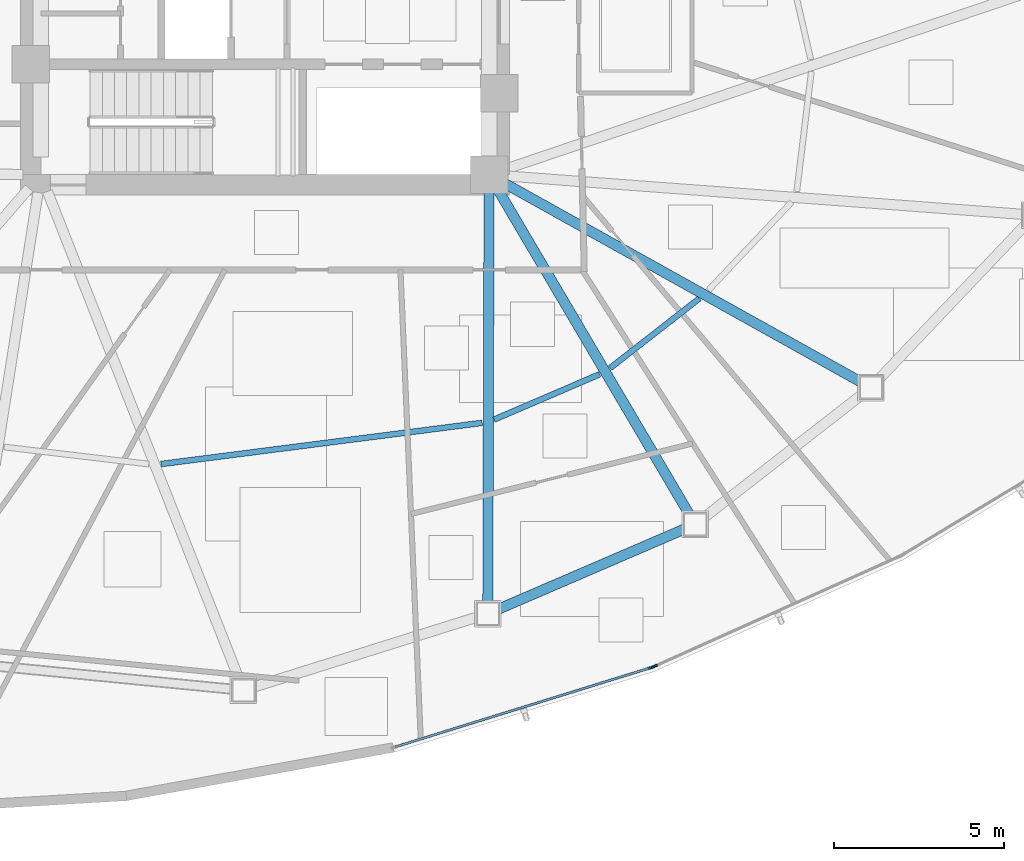
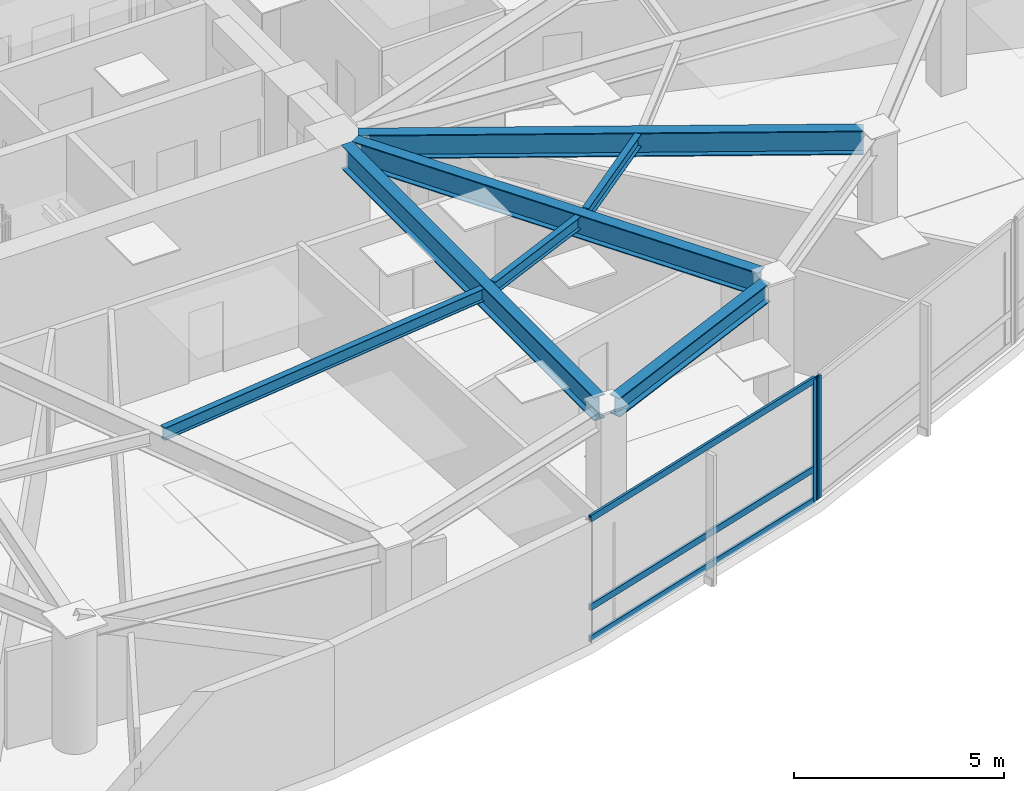
# One storey, part 3 of 17: 7 beams, 5 members, 2 elements without a shape of their own.
"""IFC4 building model written with IfcOpenShell, lengths in metres."""

from ifc_helpers import new_model, si_unit, direction, frame, origin, origin_2d, place, context, subcontext, project, spatial, hollow_rectangle, i_section, extrude, source, transform, mapped, material, layer, layer_set, material_profile, profile_set, type_object, type_shapes, element, aggregate, save


model = new_model("IFC4")

# Units and contexts
model_context = context("Model", 3, precision=1e-05, world=origin(), true_north=direction((0.0, 1.0)))
body_context = subcontext(model_context, "Body", "Model", "MODEL_VIEW")
ifc_project = project(units=[si_unit("LENGTHUNIT", "METRE"), si_unit("AREAUNIT", "SQUARE_METRE"), si_unit("VOLUMEUNIT", "CUBIC_METRE"), si_unit("PLANEANGLEUNIT", "RADIAN"), si_unit("MASSUNIT", "GRAM", prefix="KILO")], contexts=[model_context])

# Site, building, storey
site_placement = place(None, origin())
site = spatial("IfcSite", under=ifc_project, at=site_placement, CompositionType="ELEMENT")
building_placement = place(site_placement, origin())
building = spatial("IfcBuilding", under=site, at=building_placement, Name="Tavelor Broadcast Tower", CompositionType="ELEMENT")
storey_placement = place(building_placement, frame((0.0, 0.0, 119.449951171875)))
storey = spatial("IfcBuildingStorey", under=building, at=storey_placement, Name="L27", CompositionType="ELEMENT", Elevation=119.449951171875)

# Beams
ifc_material_1 = material(Name="Steel S355", Category="steel")
ifc_material_profile_1 = material_profile(ifc_material_1, i_section(OverallWidth=0.169921875, OverallDepth=0.360107421875, WebThickness=0.008056640625, FlangeThickness=0.0126953125, at=origin_2d()), Name="IPE 360")
ifc_profile_set_1 = profile_set([ifc_material_profile_1], Name="Steel S355")
beam_type_1 = type_object("IfcBeamType", Name="Composite Floor Joist T3 IPE 360", PredefinedType="JOIST", material=ifc_profile_set_1)
beam_1_placement = place(storey_placement, frame((46.93701171875, 30.280517578125, 3.3701171875), z_axis=(0.991879926303, 0.12717787464, 0.0), x_axis=(-0.12717787464, 0.991879926303, 0.0)))
element("IfcBeam", 1, at=beam_1_placement, inside=storey, type_object=beam_type_1, Name="L27 Secondary Composite Floor Joist 08", PredefinedType="JOIST", context=body_context, shape_type="SweptSolid", body=[
    extrude(i_section(OverallWidth=0.169921875, OverallDepth=0.360107421875, WebThickness=0.008056640625, FlangeThickness=0.0126953125, at=origin_2d()), origin(), (0.0, 0.0, 1.0), 9.538818359375),
])
beam_2_placement = place(storey_placement, frame((56.744384765625, 31.588134765625, 3.3701171875), z_axis=(0.918816463589, 0.394685072225, 0.0), x_axis=(-0.394685072225, 0.918816463589, 0.0)))
element("IfcBeam", 2, at=beam_2_placement, inside=storey, type_object=beam_type_1, Name="L27 Secondary Composite Floor Joist 09", PredefinedType="JOIST", context=body_context, shape_type="SweptSolid", body=[
    extrude(i_section(OverallWidth=0.169921875, OverallDepth=0.360107421875, WebThickness=0.008056640625, FlangeThickness=0.0126953125, at=origin_2d()), origin(), (0.0, 0.0, 1.0), 3.385498046875),
])
beam_3_placement = place(storey_placement, frame((60.163818359375, 33.107177734375, 3.3701171875), z_axis=(0.788471752191, 0.615070968261, 0.0), x_axis=(-0.615070968261, 0.788471752191, 0.0)))
element("IfcBeam", 3, at=beam_3_placement, inside=storey, type_object=beam_type_1, Name="L27 Secondary Composite Floor Joist 10", PredefinedType="JOIST", context=body_context, shape_type="SweptSolid", body=[
    extrude(i_section(OverallWidth=0.169921875, OverallDepth=0.360107421875, WebThickness=0.008056640625, FlangeThickness=0.0126953125, at=origin_2d()), origin(), (0.0, 0.0, 1.0), 3.33251953125),
])
ifc_material_profile_2 = material_profile(ifc_material_1, i_section(OverallWidth=0.300048828125, OverallDepth=0.550048828125, WebThickness=0.014892578125, FlangeThickness=0.029052734375, at=origin_2d()), Name="HEB 550")
ifc_profile_set_2 = profile_set([ifc_material_profile_2], Name="Steel S355")
beam_type_2 = type_object("IfcBeamType", Name="Perimeter Spandrel Beam T3 HEB 550", PredefinedType="SPANDREL", material=ifc_profile_set_2)
beam_4_placement = place(storey_placement, frame((56.86962890625, 26.005615234375, 3.275146484375), z_axis=(0.918448679011, 0.395540167396, 0.0), x_axis=(-0.395540167396, 0.918448679011, 0.0)))
element("IfcBeam", 4, at=beam_4_placement, inside=storey, type_object=beam_type_2, Name="L27 Framed-Tube Ring Spandrel 09", PredefinedType="SPANDREL", context=body_context, shape_type="SweptSolid", body=[
    extrude(i_section(OverallWidth=0.300048828125, OverallDepth=0.550048828125, WebThickness=0.014892578125, FlangeThickness=0.029052734375, at=origin_2d()), origin(), (0.0, 0.0, 1.0), 5.978515625),
])
ifc_material_profile_3 = material_profile(ifc_material_1, i_section(OverallWidth=0.300048828125, OverallDepth=0.68994140625, WebThickness=0.014404296875, FlangeThickness=0.027099609375, at=origin_2d()), Name="HEA 700")
ifc_profile_set_3 = profile_set([ifc_material_profile_3], Name="Steel S355")
beam_type_3 = type_object("IfcBeamType", Name="Radial Floor Girder T3 HEA 700", PredefinedType="BEAM", material=ifc_profile_set_3)
beam_5_placement = place(storey_placement, frame((56.598388671875, 38.27197265625, 3.205078125), z_axis=(-0.003015509149, -0.999995453342, 0.0), x_axis=(0.999995453342, -0.003015509149, 0.0)))
element("IfcBeam", 5, at=beam_5_placement, inside=storey, type_object=beam_type_3, Name="L27 Radial Primary Floor Girder 09", PredefinedType="BEAM", context=body_context, shape_type="SweptSolid", body=[
    extrude(i_section(OverallWidth=0.300048828125, OverallDepth=0.68994140625, WebThickness=0.014404296875, FlangeThickness=0.027099609375, at=origin_2d()), origin(), (0.0, 0.0, 1.0), 12.063232421875),
])
beam_6_placement = place(storey_placement, frame((56.8681640625, 38.34521484375, 3.205078125), z_axis=(0.507774310592, -0.861490133143, 0.0), x_axis=(0.861490133143, 0.507774310592, 0.0)))
element("IfcBeam", 6, at=beam_6_placement, inside=storey, type_object=beam_type_3, Name="L27 Radial Primary Floor Girder 10", PredefinedType="BEAM", context=body_context, shape_type="SweptSolid", body=[
    extrude(i_section(OverallWidth=0.300048828125, OverallDepth=0.68994140625, WebThickness=0.014404296875, FlangeThickness=0.027099609375, at=origin_2d()), origin(), (0.0, 0.0, 1.0), 11.08837890625),
])
beam_7_placement = place(storey_placement, frame((57.061279296875, 38.54296875, 3.205078125), z_axis=(0.873405286678, -0.486994050481, 0.0), x_axis=(0.486994050481, 0.873405286678, 0.0)))
element("IfcBeam", 7, at=beam_7_placement, inside=storey, type_object=beam_type_3, Name="L27 Radial Primary Floor Girder 11", PredefinedType="BEAM", context=body_context, shape_type="SweptSolid", body=[
    extrude(i_section(OverallWidth=0.300048828125, OverallDepth=0.68994140625, WebThickness=0.014404296875, FlangeThickness=0.027099609375, at=origin_2d()), origin(), (0.0, 0.0, 1.0), 12.007568359375),
])

# Curtain wall, members
ifc_material_2 = material(Name="Architectural Anodized Aluminium", Category="aluminium")
ifc_layer = layer(ifc_material_2, 0.18994140625)
ifc_layer_set = layer_set([ifc_layer], Name="Architectural Anodized Aluminium")
curtain_wall_type = type_object("IfcCurtainWallType", Name="Tower Mid-Zone Acoustic Curtain Wall CW03", PredefinedType="NOTDEFINED", material=ifc_layer_set)
curtain_wall_1_placement = place(storey_placement, origin())
curtain_wall_1 = element("IfcCurtainWall", 8, at=curtain_wall_1_placement, inside=storey, type_object=curtain_wall_type, Name="L27 Curtain Wall CW03 Run 269", PredefinedType="NOTDEFINED")
ifc_material_profile_4 = material_profile(ifc_material_2, hollow_rectangle(XDim=0.068115234375, YDim=0.18994140625, WallThickness=0.02197265625, at=origin_2d()), Name="RHS 68x190x22")
ifc_profile_set_4 = profile_set([ifc_material_profile_4], Name="Architectural Anodized Aluminium")
member_type_1 = type_object("IfcMemberType", Name="CW03 Extruded Aluminium Transom 68x190", PredefinedType="USERDEFINED", material=ifc_profile_set_4)
shared_shape_1 = source(origin(), body_context, "Body", "SweptSolid", [
    extrude(hollow_rectangle(XDim=0.068115234375, YDim=0.18994140625, WallThickness=0.02197265625, at=origin_2d()), origin(), (0.0, 0.0, 1.0), 7.85302734375),
])
type_shapes(member_type_1, [shared_shape_1])
member_1_placement = place(storey_placement, frame((53.8408203125, 21.952880859375, 0.033935546875), z_axis=(0.955149676258, 0.296123447136, 0.0), x_axis=(-0.296123447136, 0.955149676258, 0.0)))
member_1 = element("IfcMember", 9, at=member_1_placement, type_object=member_type_1, Name="CW03 transom 1.1", ObjectType="TRANSOM", PredefinedType="USERDEFINED", context=body_context, shape_type="MappedRepresentation", body=[
    mapped(shared_shape_1, transform((0.0, 0.0, 0.0), scale=1.0)),
])
member_2_placement = place(storey_placement, frame((53.8408203125, 21.952880859375, 0.949951171875), z_axis=(0.955149676258, 0.296123447136, 0.0), x_axis=(-0.296123447136, 0.955149676258, 0.0)))
member_2 = element("IfcMember", 10, at=member_2_placement, type_object=member_type_1, Name="CW03 transom 1.2", ObjectType="TRANSOM", PredefinedType="USERDEFINED", context=body_context, shape_type="MappedRepresentation", body=[
    mapped(shared_shape_1, transform((0.0, 0.0, 0.0), scale=1.0)),
])
member_3_placement = place(storey_placement, frame((53.8408203125, 21.952880859375, 3.51611328125), z_axis=(0.955149676258, 0.296123447136, 0.0), x_axis=(-0.296123447136, 0.955149676258, 0.0)))
member_3 = element("IfcMember", 11, at=member_3_placement, type_object=member_type_1, Name="CW03 transom 1.3", ObjectType="TRANSOM", PredefinedType="USERDEFINED", context=body_context, shape_type="MappedRepresentation", body=[
    mapped(shared_shape_1, transform((0.0, 0.0, 0.0), scale=1.0)),
])
ifc_material_profile_5 = material_profile(ifc_material_2, hollow_rectangle(XDim=0.068115234375, YDim=0.18994140625, WallThickness=0.02197265625, at=origin_2d()), Name="RHS 68x190x22")
ifc_profile_set_5 = profile_set([ifc_material_profile_5], Name="Architectural Anodized Aluminium")
member_type_2 = type_object("IfcMemberType", Name="CW03 Extruded Aluminium Mullion 68x190", PredefinedType="MULLION", material=ifc_profile_set_5)
shared_shape_2 = source(origin(), body_context, "Body", "SweptSolid", [
    extrude(hollow_rectangle(XDim=0.068115234375, YDim=0.18994140625, WallThickness=0.02197265625, at=origin_2d()), origin(), (0.0, 0.0, 1.0), 3.550048828125),
])
type_shapes(member_type_2, [shared_shape_2])
member_4_placement = place(storey_placement, frame((61.3740234375, 24.288330078125, 0.0), z_axis=(0.0, 0.0, 1.0), x_axis=(-0.296123209623, 0.955149749894, 0.0)))
member_4 = element("IfcMember", 12, at=member_4_placement, type_object=member_type_2, Name="CW03 mullion 2", PredefinedType="MULLION", context=body_context, shape_type="MappedRepresentation", body=[
    mapped(shared_shape_2, transform((0.0, 0.0, 0.0), scale=1.0)),
])
aggregate(curtain_wall_1, [member_4, member_1, member_2, member_3])

# Curtain wall, member
curtain_wall_2_placement = place(storey_placement, origin())
curtain_wall_2 = element("IfcCurtainWall", 13, at=curtain_wall_2_placement, inside=storey, type_object=curtain_wall_type, Name="L27 Curtain Wall CW03 Run 270", PredefinedType="NOTDEFINED")
member_5_placement = place(storey_placement, frame((61.46533203125, 24.322998046875, 0.0), z_axis=(0.0, 0.0, 1.0), x_axis=(-0.4095390704, 0.912292579064, 0.0)))
member_5 = element("IfcMember", 14, at=member_5_placement, type_object=member_type_2, Name="CW03 mullion 1", PredefinedType="MULLION", context=body_context, shape_type="MappedRepresentation", body=[
    mapped(shared_shape_2, transform((0.0, 0.0, 0.0), scale=1.0)),
])
aggregate(curtain_wall_2, [member_5])

save(model, "model.ifc")
